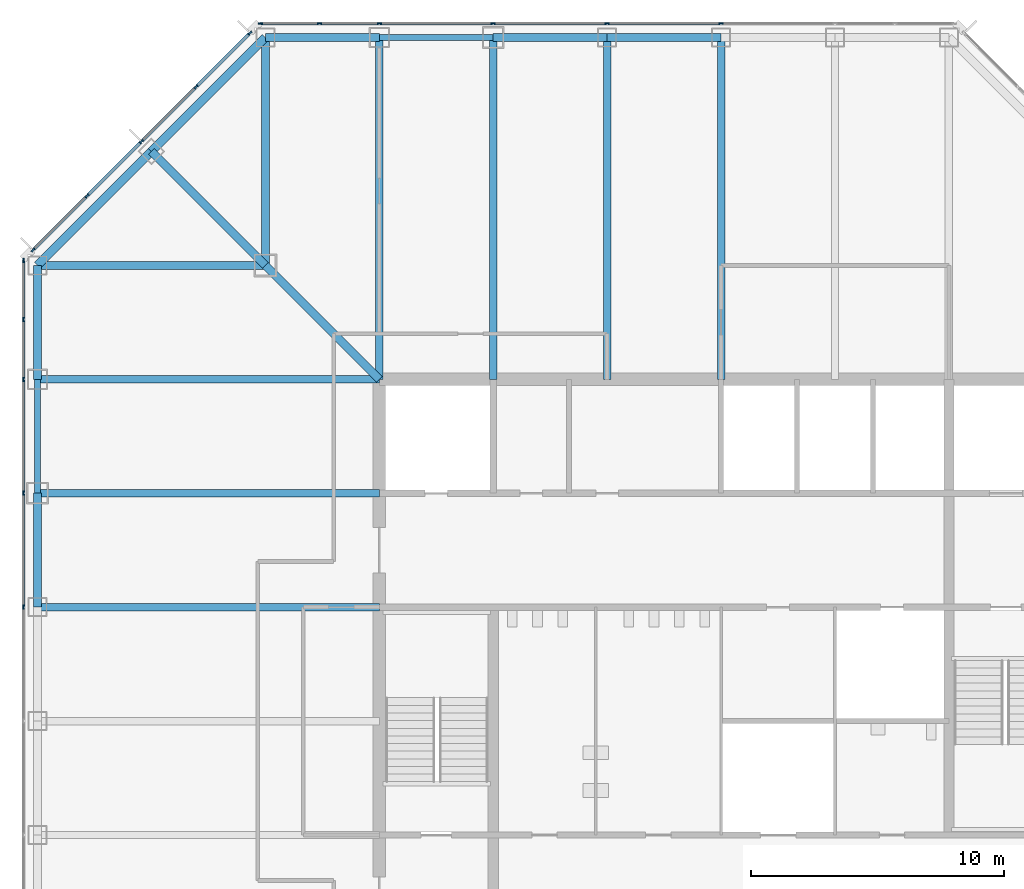
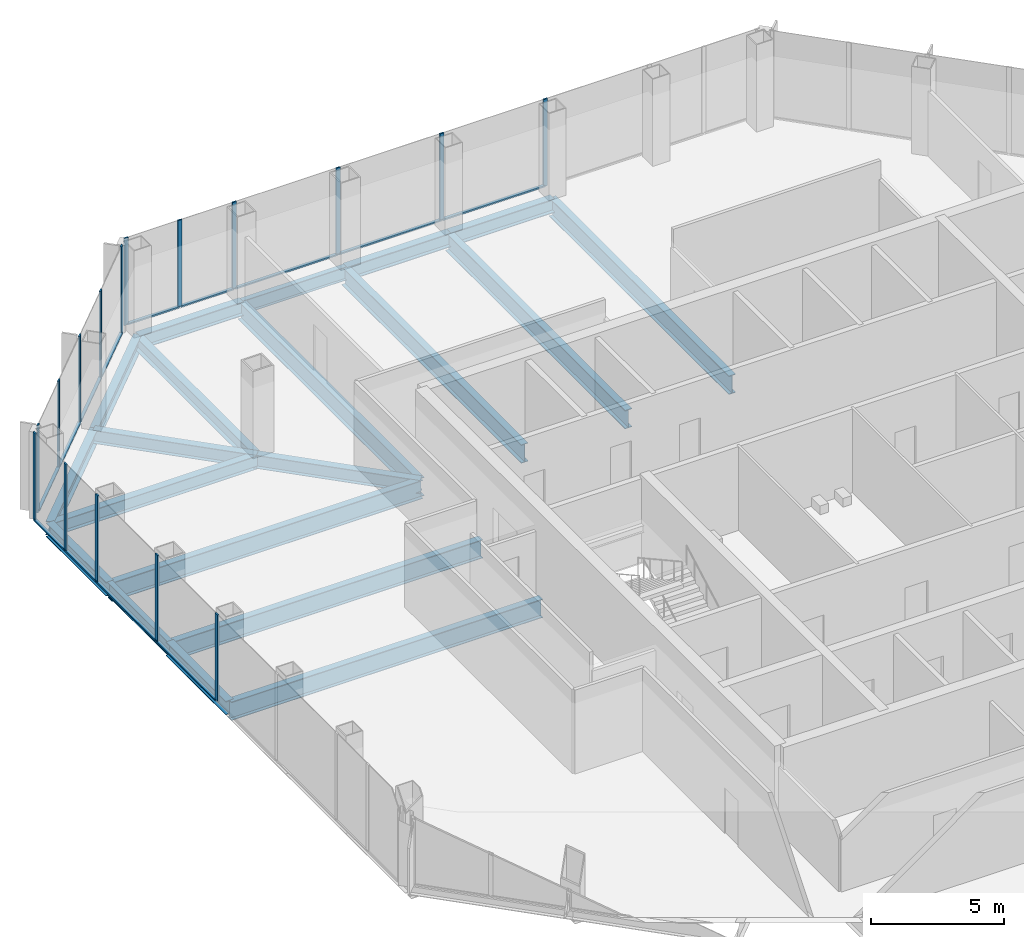
# One storey, part 5 of 12: 29 members, 20 beams, 3 elements without a shape of their own.
"""IFC4 building model written with IfcOpenShell, lengths in metres."""

import ifcopenshell
import ifcopenshell.guid

model = None  # the IFC model being written
_history = None  # IfcOwnerHistory: only IFC2X3 demands one
_inside = {}  # id of a spatial element -> (the spatial element, [elements in it])
_under = {}  # id of a project, library or spatial element -> (it, [spatial elements below it])
_declared = {}  # id of a project -> (the project, [libraries it declares])
_typed = {}  # id of a type object -> (the type object, [elements of that type])
_made_of = {}  # id of a material, layer set ... -> (it, [elements and type objects made of it])


def new_model(schema):
    """Start an empty IFC model of exactly this schema.

    Asked for "IFC4X3", IfcOpenShell would pick the latest addendum, in which some entities
    have other attributes; the version numbers below select the first issue.
    IFC2X3 requires an IfcOwnerHistory on every rooted entity: one is made here for all.
    """
    global model, _history
    if schema == "IFC4X3":
        model = ifcopenshell.file(schema_version=(4, 3, 0, 0))
    else:
        model = ifcopenshell.file(schema=schema)
    _inside.clear()
    _under.clear()
    _declared.clear()
    _typed.clear()
    _made_of.clear()
    _history = None
    if model.schema == "IFC2X3":
        org = make("IfcOrganization", Name="unknown")
        user = make(
            "IfcPersonAndOrganization",
            ThePerson=make("IfcPerson", FamilyName="unknown"),
            TheOrganization=org,
        )
        app = make(
            "IfcApplication",
            ApplicationDeveloper=org,
            Version="unknown",
            ApplicationFullName="unknown",
            ApplicationIdentifier="unknown",
        )
        _history = make(
            "IfcOwnerHistory",
            OwningUser=user,
            OwningApplication=app,
            ChangeAction="ADDED",
            CreationDate=0,
        )
    return model


def make(cls, **values):
    """One entity of the class cls with the attributes given. An attribute that is None is left unset."""
    return model.create_entity(
        cls, **{name: value for name, value in values.items() if value is not None}
    )


def rooted(cls, **values):
    """An entity with a GlobalId (a new one), such as an element, a storey or a relation."""
    return make(cls, GlobalId=ifcopenshell.guid.new(), OwnerHistory=_history, **values)


def si_unit(unit_type, name, prefix=None):
    """IfcSIUnit, for example si_unit("LENGTHUNIT", "METRE", prefix="MILLI")."""
    return make("IfcSIUnit", UnitType=unit_type, Prefix=prefix, Name=name)


def assignment(units):
    """IfcUnitAssignment: the units of a project."""
    return None if units is None else make("IfcUnitAssignment", Units=units)


def point(xyz):
    """IfcCartesianPoint."""
    return None if xyz is None else make("IfcCartesianPoint", Coordinates=xyz)


def direction(xyz):
    """IfcDirection."""
    return None if xyz is None else make("IfcDirection", DirectionRatios=xyz)


def frame(location, z_axis=None, x_axis=None):
    """IfcAxis2Placement3D, a coordinate frame: its origin and axes. An axis left out is left unset."""
    return make(
        "IfcAxis2Placement3D",
        Location=point(location),
        Axis=direction(z_axis),
        RefDirection=direction(x_axis),
    )


def frame_2d(location, x_axis=None):
    """IfcAxis2Placement2D, a coordinate frame in the plane: its origin and x axis."""
    return make(
        "IfcAxis2Placement2D", Location=point(location), RefDirection=direction(x_axis)
    )


def origin():
    """The frame at (0, 0, 0) with its axes left unset."""
    return frame((0.0, 0.0, 0.0))


def origin_2d():
    """The frame at (0, 0) in the plane with its x axis left unset."""
    return frame_2d((0.0, 0.0))


def place(relative_to, where):
    """IfcLocalPlacement: puts the frame where relative to a parent placement (None: the world)."""
    return make(
        "IfcLocalPlacement", PlacementRelTo=relative_to, RelativePlacement=where
    )


def context(
    kind, dimensions, precision=None, world=None, true_north=None, identifier=None
):
    """IfcGeometricRepresentationContext, for example the 3D "Model" context."""
    return make(
        "IfcGeometricRepresentationContext",
        ContextIdentifier=identifier,
        ContextType=kind,
        CoordinateSpaceDimension=dimensions,
        Precision=precision,
        WorldCoordinateSystem=world,
        TrueNorth=true_north,
    )


def subcontext(parent, identifier, kind, view, scale=None):
    """IfcGeometricRepresentationSubContext, for example "Body" below "Model"."""
    return make(
        "IfcGeometricRepresentationSubContext",
        ContextIdentifier=identifier,
        ContextType=kind,
        ParentContext=parent,
        TargetScale=scale,
        TargetView=view,
    )


def project(units=None, contexts=None):
    """IfcProject with its units and contexts."""
    return rooted(
        "IfcProject",
        Name="project",
        RepresentationContexts=contexts,
        UnitsInContext=assignment(units),
    )


def spatial(cls, under=None, at=None, **own):
    """A site, building, storey or space (cls), placed at a placement, below another one or the project."""
    s = rooted(cls, ObjectPlacement=at, **own)
    if under is not None:
        _under.setdefault(under.id(), (under, []))[1].append(s)
    return s


def profile(cls, at=None, kind="AREA", **sizes):
    """A parametric profile (cls). Its sizes go by their IFC names, for example OverallWidth=200.0."""
    return make(cls, ProfileType=kind, Position=at, **sizes)


def rectangle(**sizes):
    """IfcRectangleProfileDef."""
    return profile("IfcRectangleProfileDef", **sizes)


def i_section(**sizes):
    """IfcIShapeProfileDef."""
    return profile("IfcIShapeProfileDef", **sizes)


def extrude(swept, where, along, depth):
    """IfcExtrudedAreaSolid: the profile swept, set in the frame where, extruded along a direction by depth."""
    return make(
        "IfcExtrudedAreaSolid",
        SweptArea=swept,
        Position=where,
        ExtrudedDirection=direction(along),
        Depth=depth,
    )


def shape(context_of_items, identifier, shape_type, items):
    """IfcShapeRepresentation: the items that make up one representation, for example the "Body"."""
    return make(
        "IfcShapeRepresentation",
        ContextOfItems=context_of_items,
        RepresentationIdentifier=identifier,
        RepresentationType=shape_type,
        Items=items,
    )


def material(Name=None, Category=None):
    """IfcMaterial."""
    return make("IfcMaterial", Name=Name, Category=Category)


def material_profile(
    of_material, cross_section, Name=None, Category=None, Priority=None
):
    """IfcMaterialProfile: a cross section and its material."""
    return make(
        "IfcMaterialProfile",
        Name=Name,
        Material=of_material,
        Profile=cross_section,
        Priority=Priority,
        Category=Category,
    )


def profile_set(profiles, Name=None, composite=None):
    """IfcMaterialProfileSet."""
    return make(
        "IfcMaterialProfileSet",
        Name=Name,
        MaterialProfiles=profiles,
        CompositeProfile=composite,
    )


def made_of(thing, what):
    """Note that an element or type object is made of a material, layer set ...; save() writes the relation."""
    if what is not None:
        _made_of.setdefault(what.id(), (what, []))[1].append(thing)
    return thing


def type_object(cls, material=None, **own):
    """A type object (cls), such as IfcWallType, which elements share."""
    return made_of(rooted(cls, **own), material)


def element(
    cls,
    number,
    at=None,
    inside=None,
    cuts=None,
    type_object=None,
    material=None,
    context=None,
    identifier="Body",
    shape_type=None,
    held_by="IfcProductDefinitionShape",
    body=None,
    shapes=None,
    **own,
):
    """One element of the class cls, such as IfcWall. Its Tag is "e" and its number.

    at: its placement. inside: the storey or other place that contains it. cuts: it is an
    opening in that element (IfcRelVoidsElement). A single representation is given by context,
    identifier, shape_type and body (its items); several are given by shapes. held_by: the class
    of the entity that holds the representations. save() writes the other relations.
    """
    e = rooted(cls, Tag="e%d" % number, ObjectPlacement=at, **own)
    if body is not None:
        shapes = [shape(context, identifier, shape_type, body)]
    if shapes is not None:
        e.Representation = make(held_by, Representations=shapes)
    if inside is not None:
        _inside.setdefault(inside.id(), (inside, []))[1].append(e)
    if cuts is not None:
        rooted(
            "IfcRelVoidsElement", RelatingBuildingElement=cuts, RelatedOpeningElement=e
        )
    if type_object is not None:
        _typed.setdefault(type_object.id(), (type_object, []))[1].append(e)
    return made_of(e, material)


def aggregate(whole, parts):
    """IfcRelAggregates: a whole, such as a stair, and the parts it consists of."""
    return rooted("IfcRelAggregates", RelatingObject=whole, RelatedObjects=parts)


def save(model, path):
    """Write the relations noted so far, then the file.

    IfcRelAggregates (storeys below a building ...), IfcRelContainedInSpatialStructure (elements
    in a storey), IfcRelDefinesByType, IfcRelAssociatesMaterial and IfcRelDeclares: one each for
    every whole, place, type object, material and project.
    """
    for whole, parts in _under.values():
        aggregate(whole, parts)
    for where, things in _inside.values():
        rooted(
            "IfcRelContainedInSpatialStructure",
            RelatedElements=things,
            RelatingStructure=where,
        )
    for kind, things in _typed.values():
        rooted("IfcRelDefinesByType", RelatedObjects=things, RelatingType=kind)
    for what, things in _made_of.values():
        rooted("IfcRelAssociatesMaterial", RelatedObjects=things, RelatingMaterial=what)
    for by, libraries in _declared.values():
        rooted("IfcRelDeclares", RelatingContext=by, RelatedDefinitions=libraries)
    model.write(path)


model = new_model("IFC4")

# Units and contexts
model_context = context("Model", 3, precision=1e-05, world=origin(), true_north=direction((0.0, 1.0)))
body_context = subcontext(model_context, "Body", "Model", "MODEL_VIEW")
ifc_project = project(units=[si_unit("LENGTHUNIT", "METRE"), si_unit("AREAUNIT", "SQUARE_METRE"), si_unit("VOLUMEUNIT", "CUBIC_METRE"), si_unit("PLANEANGLEUNIT", "RADIAN"), si_unit("MASSUNIT", "GRAM", prefix="KILO")], contexts=[model_context])

# Site, building, storey
site_placement = place(None, origin())
site = spatial("IfcSite", under=ifc_project, at=site_placement, CompositionType="ELEMENT")
building_placement = place(site_placement, origin())
building = spatial("IfcBuilding", under=site, at=building_placement, Name="Corais Broadcast Tower", CompositionType="ELEMENT")
storey_placement = place(building_placement, frame((0.0, 0.0, 135.60009765625)))
storey = spatial("IfcBuildingStorey", under=building, at=storey_placement, Name="L30", CompositionType="ELEMENT", Elevation=135.60009765625)

# Beams
ifc_material_1 = material(Name="Steel ASTM A572 Grade 50", Category="steel")
ifc_material_profile_1 = material_profile(ifc_material_1, i_section(OverallWidth=0.323974609375, OverallDepth=0.611083984375, WebThickness=0.0126953125, FlangeThickness=0.01904296875, at=origin_2d()), Name="W610x155")
ifc_profile_set_1 = profile_set([ifc_material_profile_1], Name="Steel ASTM A572 Grade 50")
beam_type_1 = type_object("IfcBeamType", Name="Chamfer tie W610x155", PredefinedType="BEAM", material=ifc_profile_set_1)
beam_1_placement = place(storey_placement, frame((4.5, 49.5, -0.465576171875), z_axis=(0.707106781187, -0.707106781187, 0.0), x_axis=(0.707106781187, 0.707106781187, 0.0)))
element("IfcBeam", 1, at=beam_1_placement, inside=storey, type_object=beam_type_1, Name="B5 M/4 to L/5", PredefinedType="BEAM", context=body_context, shape_type="SweptSolid", body=[
    extrude(i_section(OverallWidth=0.323974609375, OverallDepth=0.611083984375, WebThickness=0.0126953125, FlangeThickness=0.01904296875, at=origin_2d()), origin(), (0.0, 0.0, 1.0), 6.364013671875),
])
ifc_material_2 = material(Name="Steel ASTM A572 Grade 50", Category="steel")
ifc_material_profile_2 = material_profile(ifc_material_2, i_section(OverallWidth=0.323974609375, OverallDepth=0.611083984375, WebThickness=0.0126953125, FlangeThickness=0.01904296875, at=origin_2d()), Name="W610x155")
ifc_profile_set_2 = profile_set([ifc_material_profile_2], Name="Steel ASTM A572 Grade 50")
beam_type_2 = type_object("IfcBeamType", Name="Corner diagonal W610x155", PredefinedType="BEAM", material=ifc_profile_set_2)
beam_2_placement = place(storey_placement, frame((9.0, 45.0, -0.465576171875), z_axis=(0.707106781187, -0.707106781187, 0.0), x_axis=(0.707106781187, 0.707106781187, 0.0)))
element("IfcBeam", 2, at=beam_2_placement, inside=storey, type_object=beam_type_2, Name="B6 L/5 to K/6", PredefinedType="BEAM", context=body_context, shape_type="SweptSolid", body=[
    extrude(i_section(OverallWidth=0.323974609375, OverallDepth=0.611083984375, WebThickness=0.0126953125, FlangeThickness=0.01904296875, at=origin_2d()), origin(), (0.0, 0.0, 1.0), 6.364013671875),
])
ifc_material_3 = material(Name="Steel ASTM A572 Grade 50", Category="steel")
ifc_material_profile_3 = material_profile(ifc_material_3, i_section(OverallWidth=0.323974609375, OverallDepth=0.611083984375, WebThickness=0.0126953125, FlangeThickness=0.01904296875, at=origin_2d()), Name="W610x155")
ifc_profile_set_3 = profile_set([ifc_material_profile_3], Name="Steel ASTM A572 Grade 50")
beam_type_3 = type_object("IfcBeamType", Name="Corner girder W610x155", PredefinedType="BEAM", material=ifc_profile_set_3)
for number, where, z_axis, x_axis, name in (
    (3, (0.0, 45.0, -0.465576171875), (1.0, 0.0, 0.0), (0.0, 1.0, 0.0), "B4 L/3 to L/5"),
    (4, (9.0, 54.0, -0.465576171875), (0.0, -1.0, 0.0), (1.0, 0.0, 0.0), "B4 N/5 to L/5"),
):
    element("IfcBeam", number, at=place(storey_placement, frame(where, z_axis=z_axis, x_axis=x_axis)), inside=storey, type_object=beam_type_3, Name=name, PredefinedType="BEAM", context=body_context, shape_type="SweptSolid", body=[
        extrude(i_section(OverallWidth=0.323974609375, OverallDepth=0.611083984375, WebThickness=0.0126953125, FlangeThickness=0.01904296875, at=origin_2d()), origin(), (0.0, 0.0, 1.0), 9.0),
    ])
ifc_material_4 = material(Name="Steel ASTM A572 Grade 50", Category="steel")
ifc_material_profile_4 = material_profile(ifc_material_4, i_section(OverallWidth=0.2939453125, OverallDepth=0.85107421875, WebThickness=0.01611328125, FlangeThickness=0.02685546875, at=origin_2d()), Name="W840x226")
ifc_profile_set_4 = profile_set([ifc_material_profile_4], Name="Steel ASTM A572 Grade 50")
beam_type_4 = type_object("IfcBeamType", Name="Floor beam W840x226", PredefinedType="BEAM", material=ifc_profile_set_4)
for number, where, z_axis, x_axis, name in (
    (5, (0.0, 31.5, -0.585693359375), (1.0, 0.0, 0.0), (0.0, 1.0, 0.0), "B1 H/3 to H/6"),
    (6, (0.0, 36.0, -0.585693359375), (1.0, 0.0, 0.0), (0.0, 1.0, 0.0), "B1 J/3 to J/6"),
    (7, (0.0, 40.5, -0.585693359375), (1.0, 0.0, 0.0), (0.0, 1.0, 0.0), "B1 K/3 to K/6"),
    (8, (13.5, 54.0, -0.585693359375), (0.0, -1.0, 0.0), (1.0, 0.0, 0.0), "B1 N/6 to K/6"),
    (9, (18.0, 54.0, -0.585693359375), (0.0, -1.0, 0.0), (1.0, 0.0, 0.0), "B1 N/7 to K/7"),
    (10, (22.5, 54.0, -0.585693359375), (0.0, -1.0, 0.0), (1.0, 0.0, 0.0), "B1 N/8 to K/8"),
    (11, (27.0, 54.0, -0.585693359375), (0.0, -1.0, 0.0), (1.0, 0.0, 0.0), "B1 N/9 to K/9"),
):
    element("IfcBeam", number, at=place(storey_placement, frame(where, z_axis=z_axis, x_axis=x_axis)), inside=storey, type_object=beam_type_4, Name=name, PredefinedType="BEAM", context=body_context, shape_type="SweptSolid", body=[
        extrude(i_section(OverallWidth=0.2939453125, OverallDepth=0.85107421875, WebThickness=0.01611328125, FlangeThickness=0.02685546875, at=origin_2d()), origin(), (0.0, 0.0, 1.0), 13.5),
    ])

# Curtain wall, members
ifc_material_5 = material(Name="Aluminium and glass", Category="aluminium")
curtain_wall_type = type_object("IfcCurtainWallType", Name="Unitised fritted curtain wall CW2", PredefinedType="NOTDEFINED", material=ifc_material_5)
curtain_wall_1_placement = place(storey_placement, origin())
curtain_wall_1 = element("IfcCurtainWall", 12, at=curtain_wall_1_placement, inside=storey, type_object=curtain_wall_type, Name="CW2 curtain wall L30 2", PredefinedType="NOTDEFINED")
ifc_material_6 = material(Name="Aluminium 6063-T6", Category="aluminium")
ifc_material_profile_5 = material_profile(ifc_material_6, rectangle(XDim=0.06494140625, YDim=0.179931640625, at=origin_2d()), Name="Mullion CW2 65x180")
ifc_profile_set_5 = profile_set([ifc_material_profile_5], Name="Aluminium 6063-T6")
member_type_1 = type_object("IfcMemberType", Name="Mullion CW2 65x180", PredefinedType="MULLION", material=ifc_profile_set_5)
member_1_placement = place(storey_placement, frame((-0.550048828125, 31.5, 0.0), z_axis=(0.0, 0.0, 1.0), x_axis=(-1.0, 0.0, 0.0)))
member_1 = element("IfcMember", 13, at=member_1_placement, type_object=member_type_1, Name="CW2 mullion 5", PredefinedType="MULLION", context=body_context, shape_type="SweptSolid", body=[
    extrude(rectangle(XDim=0.06494140625, YDim=0.179931640625, at=origin_2d()), origin(), (0.0, 0.0, 1.0), 4.0),
])
member_2_placement = place(storey_placement, frame((-0.550048828125, 36.0, 0.0), z_axis=(0.0, 0.0, 1.0), x_axis=(-1.0, 0.0, 0.0)))
member_2 = element("IfcMember", 14, at=member_2_placement, type_object=member_type_1, Name="CW2 mullion 6", PredefinedType="MULLION", context=body_context, shape_type="SweptSolid", body=[
    extrude(rectangle(XDim=0.06494140625, YDim=0.179931640625, at=origin_2d()), origin(), (0.0, 0.0, 1.0), 4.0),
])
member_3_placement = place(storey_placement, frame((-0.550048828125, 40.5, 0.0), z_axis=(0.0, 0.0, 1.0), x_axis=(-1.0, 0.0, 0.0)))
member_3 = element("IfcMember", 15, at=member_3_placement, type_object=member_type_1, Name="CW2 mullion 7", PredefinedType="MULLION", context=body_context, shape_type="SweptSolid", body=[
    extrude(rectangle(XDim=0.06494140625, YDim=0.179931640625, at=origin_2d()), origin(), (0.0, 0.0, 1.0), 4.0),
])
member_4_placement = place(storey_placement, frame((-0.550048828125, 42.864013671875, 0.0), z_axis=(0.0, 0.0, 1.0), x_axis=(-1.0, 0.0, 0.0)))
member_4 = element("IfcMember", 16, at=member_4_placement, type_object=member_type_1, Name="CW2 mullion 8", PredefinedType="MULLION", context=body_context, shape_type="SweptSolid", body=[
    extrude(rectangle(XDim=0.06494140625, YDim=0.179931640625, at=origin_2d()), origin(), (0.0, 0.0, 1.0), 4.0),
])
member_5_placement = place(storey_placement, frame((-0.550048828125, 45.1953125, 0.0), z_axis=(0.0, 0.0, 1.0), x_axis=(-1.0, 0.0, 0.0)))
member_5 = element("IfcMember", 17, at=member_5_placement, type_object=member_type_1, Name="CW2 mullion 9", PredefinedType="MULLION", context=body_context, shape_type="SweptSolid", body=[
    extrude(rectangle(XDim=0.06494140625, YDim=0.179931640625, at=origin_2d()), origin(), (0.0, 0.0, 1.0), 4.0),
])

curtain_wall_2_placement = place(storey_placement, origin())
curtain_wall_2 = element("IfcCurtainWall", 18, at=curtain_wall_2_placement, inside=storey, type_object=curtain_wall_type, Name="CW2 curtain wall L30 3", PredefinedType="NOTDEFINED")
member_6_placement = place(storey_placement, frame((-0.17333984375, 45.6044921875, 0.0), z_axis=(0.0, 0.0, 1.0), x_axis=(-0.707106781187, 0.707106781187, 0.0)))
member_6 = element("IfcMember", 19, at=member_6_placement, type_object=member_type_1, Name="CW2 mullion 1", PredefinedType="MULLION", context=body_context, shape_type="SweptSolid", body=[
    extrude(rectangle(XDim=0.06494140625, YDim=0.179931640625, at=origin_2d()), origin(), (0.0, 0.0, 1.0), 4.0),
])
member_7_placement = place(storey_placement, frame((1.957275390625, 47.735107421875, 0.0), z_axis=(0.0, 0.0, 1.0), x_axis=(-0.707106781187, 0.707106781187, 0.0)))
member_7 = element("IfcMember", 20, at=member_7_placement, type_object=member_type_1, Name="CW2 mullion 2", PredefinedType="MULLION", context=body_context, shape_type="SweptSolid", body=[
    extrude(rectangle(XDim=0.06494140625, YDim=0.179931640625, at=origin_2d()), origin(), (0.0, 0.0, 1.0), 4.0),
])
member_8_placement = place(storey_placement, frame((4.111083984375, 49.888916015625, 0.0), z_axis=(0.0, 0.0, 1.0), x_axis=(-0.707106781187, 0.707106781187, 0.0)))
member_8 = element("IfcMember", 21, at=member_8_placement, type_object=member_type_1, Name="CW2 mullion 3", PredefinedType="MULLION", context=body_context, shape_type="SweptSolid", body=[
    extrude(rectangle(XDim=0.06494140625, YDim=0.179931640625, at=origin_2d()), origin(), (0.0, 0.0, 1.0), 4.0),
])
member_9_placement = place(storey_placement, frame((6.264892578125, 52.042724609375, 0.0), z_axis=(0.0, 0.0, 1.0), x_axis=(-0.707106781187, 0.707106781187, 0.0)))
member_9 = element("IfcMember", 22, at=member_9_placement, type_object=member_type_1, Name="CW2 mullion 4", PredefinedType="MULLION", context=body_context, shape_type="SweptSolid", body=[
    extrude(rectangle(XDim=0.06494140625, YDim=0.179931640625, at=origin_2d()), origin(), (0.0, 0.0, 1.0), 4.0),
])
member_10_placement = place(storey_placement, frame((8.3955078125, 54.17333984375, 0.0), z_axis=(0.0, 0.0, 1.0), x_axis=(-0.707106781187, 0.707106781187, 0.0)))
member_10 = element("IfcMember", 23, at=member_10_placement, type_object=member_type_1, Name="CW2 mullion 5", PredefinedType="MULLION", context=body_context, shape_type="SweptSolid", body=[
    extrude(rectangle(XDim=0.06494140625, YDim=0.179931640625, at=origin_2d()), origin(), (0.0, 0.0, 1.0), 4.0),
])

curtain_wall_3_placement = place(storey_placement, origin())
curtain_wall_3 = element("IfcCurtainWall", 24, at=curtain_wall_3_placement, inside=storey, type_object=curtain_wall_type, Name="CW2 curtain wall L30 4", PredefinedType="NOTDEFINED")
member_11_placement = place(storey_placement, frame((8.8046875, 54.550048828125, 0.0), z_axis=(0.0, 0.0, 1.0), x_axis=(0.0, 1.0, 0.0)))
member_11 = element("IfcMember", 25, at=member_11_placement, type_object=member_type_1, Name="CW2 mullion 1", PredefinedType="MULLION", context=body_context, shape_type="SweptSolid", body=[
    extrude(rectangle(XDim=0.06494140625, YDim=0.179931640625, at=origin_2d()), origin(), (0.0, 0.0, 1.0), 4.0),
])
member_12_placement = place(storey_placement, frame((11.135986328125, 54.550048828125, 0.0), z_axis=(0.0, 0.0, 1.0), x_axis=(0.0, 1.0, 0.0)))
member_12 = element("IfcMember", 26, at=member_12_placement, type_object=member_type_1, Name="CW2 mullion 2", PredefinedType="MULLION", context=body_context, shape_type="SweptSolid", body=[
    extrude(rectangle(XDim=0.06494140625, YDim=0.179931640625, at=origin_2d()), origin(), (0.0, 0.0, 1.0), 4.0),
])
member_13_placement = place(storey_placement, frame((13.5, 54.550048828125, 0.0), z_axis=(0.0, 0.0, 1.0), x_axis=(0.0, 1.0, 0.0)))
member_13 = element("IfcMember", 27, at=member_13_placement, type_object=member_type_1, Name="CW2 mullion 3", PredefinedType="MULLION", context=body_context, shape_type="SweptSolid", body=[
    extrude(rectangle(XDim=0.06494140625, YDim=0.179931640625, at=origin_2d()), origin(), (0.0, 0.0, 1.0), 4.0),
])
member_14_placement = place(storey_placement, frame((18.0, 54.550048828125, 0.0), z_axis=(0.0, 0.0, 1.0), x_axis=(0.0, 1.0, 0.0)))
member_14 = element("IfcMember", 28, at=member_14_placement, type_object=member_type_1, Name="CW2 mullion 4", PredefinedType="MULLION", context=body_context, shape_type="SweptSolid", body=[
    extrude(rectangle(XDim=0.06494140625, YDim=0.179931640625, at=origin_2d()), origin(), (0.0, 0.0, 1.0), 4.0),
])
member_15_placement = place(storey_placement, frame((22.5, 54.550048828125, 0.0), z_axis=(0.0, 0.0, 1.0), x_axis=(0.0, 1.0, 0.0)))
member_15 = element("IfcMember", 29, at=member_15_placement, type_object=member_type_1, Name="CW2 mullion 5", PredefinedType="MULLION", context=body_context, shape_type="SweptSolid", body=[
    extrude(rectangle(XDim=0.06494140625, YDim=0.179931640625, at=origin_2d()), origin(), (0.0, 0.0, 1.0), 4.0),
])
member_16_placement = place(storey_placement, frame((27.0, 54.550048828125, 0.0), z_axis=(0.0, 0.0, 1.0), x_axis=(0.0, 1.0, 0.0)))
member_16 = element("IfcMember", 30, at=member_16_placement, type_object=member_type_1, Name="CW2 mullion 6", PredefinedType="MULLION", context=body_context, shape_type="SweptSolid", body=[
    extrude(rectangle(XDim=0.06494140625, YDim=0.179931640625, at=origin_2d()), origin(), (0.0, 0.0, 1.0), 4.0),
])

# Beams
ifc_material_7 = material(Name="Steel ASTM A572 Grade 50", Category="steel")
ifc_material_profile_6 = material_profile(ifc_material_7, i_section(OverallWidth=0.22900390625, OverallDepth=0.612060546875, WebThickness=0.011962890625, FlangeThickness=0.01953125, at=origin_2d()), Name="W610x125")
ifc_profile_set_6 = profile_set([ifc_material_profile_6], Name="Steel ASTM A572 Grade 50")
beam_type_5 = type_object("IfcBeamType", Name="Pinned spandrel W610x125", PredefinedType="BEAM", material=ifc_profile_set_6)
for number, where, z_axis, x_axis, name in (
    (31, (0.0, 40.5, -0.466064453125), (0.0, -1.0, 0.0), (1.0, 0.0, 0.0), "SB7 K/3 to J/3"),
    (32, (18.0, 54.0, -0.466064453125), (-1.0, 0.0, 0.0), (0.0, -1.0, 0.0), "SB7 N/7 to N/6"),
):
    element("IfcBeam", number, at=place(storey_placement, frame(where, z_axis=z_axis, x_axis=x_axis)), inside=storey, type_object=beam_type_5, Name=name, PredefinedType="BEAM", context=body_context, shape_type="SweptSolid", body=[
        extrude(i_section(OverallWidth=0.22900390625, OverallDepth=0.612060546875, WebThickness=0.011962890625, FlangeThickness=0.01953125, at=origin_2d()), origin(), (0.0, 0.0, 1.0), 4.5),
    ])
ifc_material_8 = material(Name="Steel ASTM A572 Grade 50", Category="steel")
ifc_material_profile_7 = material_profile(ifc_material_8, i_section(OverallWidth=0.3291015625, OverallDepth=0.635009765625, WebThickness=0.017822265625, FlangeThickness=0.031005859375, at=origin_2d()), Name="W610x241")
ifc_profile_set_7 = profile_set([ifc_material_profile_7], Name="Steel ASTM A572 Grade 50")
beam_type_6 = type_object("IfcBeamType", Name="Spandrel W610x241", PredefinedType="BEAM", material=ifc_profile_set_7)
for number, where, z_axis, x_axis, name in (
    (33, (0.0, 36.0, -0.4775390625), (0.0, -1.0, 0.0), (1.0, 0.0, 0.0), "SB1 J/3 to H/3"),
    (34, (0.0, 45.0, -0.4775390625), (0.0, -1.0, 0.0), (1.0, 0.0, 0.0), "SB1 L/3 to K/3"),
    (35, (13.5, 54.0, -0.4775390625), (-1.0, 0.0, 0.0), (0.0, -1.0, 0.0), "SB1 N/6 to N/5"),
    (36, (22.5, 54.0, -0.4775390625), (-1.0, 0.0, 0.0), (0.0, -1.0, 0.0), "SB1 N/8 to N/7"),
    (37, (27.0, 54.0, -0.4775390625), (-1.0, 0.0, 0.0), (0.0, -1.0, 0.0), "SB1 N/9 to N/8"),
):
    element("IfcBeam", number, at=place(storey_placement, frame(where, z_axis=z_axis, x_axis=x_axis)), inside=storey, type_object=beam_type_6, Name=name, PredefinedType="BEAM", context=body_context, shape_type="SweptSolid", body=[
        extrude(i_section(OverallWidth=0.3291015625, OverallDepth=0.635009765625, WebThickness=0.017822265625, FlangeThickness=0.031005859375, at=origin_2d()), origin(), (0.0, 0.0, 1.0), 4.5),
    ])
for number, where, z_axis, x_axis, name in (
    (38, (4.5, 49.5, -0.4775390625), (-0.707106781187, -0.707106781187, 0.0), (0.707106781187, -0.707106781187, 0.0), "SB1 M/4 to L/3"),
    (39, (9.0, 54.0, -0.4775390625), (-0.707106781187, -0.707106781187, 0.0), (0.707106781187, -0.707106781187, 0.0), "SB1 N/5 to M/4"),
):
    element("IfcBeam", number, at=place(storey_placement, frame(where, z_axis=z_axis, x_axis=x_axis)), inside=storey, type_object=beam_type_6, Name=name, PredefinedType="BEAM", context=body_context, shape_type="SweptSolid", body=[
        extrude(i_section(OverallWidth=0.3291015625, OverallDepth=0.635009765625, WebThickness=0.017822265625, FlangeThickness=0.031005859375, at=origin_2d()), origin(), (0.0, 0.0, 1.0), 6.364013671875),
    ])

# Member
ifc_material_9 = material(Name="Aluminium 6063-T6", Category="aluminium")
ifc_material_profile_8 = material_profile(ifc_material_9, rectangle(XDim=0.1298828125, YDim=0.06494140625, at=origin_2d()), Name="Transom CW2 65x130")
ifc_profile_set_8 = profile_set([ifc_material_profile_8], Name="Aluminium 6063-T6")
member_type_2 = type_object("IfcMemberType", Name="Transom CW2 65x130", PredefinedType="USERDEFINED", material=ifc_profile_set_8)
member_17_placement = place(storey_placement, frame((-0.550048828125, 31.532470703125, 0.032470703125), z_axis=(0.0, 1.0, 0.0), x_axis=(-1.0, 0.0, 0.0)))
member_17 = element("IfcMember", 40, at=member_17_placement, type_object=member_type_2, Name="CW2 transom 5.1", ObjectType="TRANSOM", PredefinedType="USERDEFINED", context=body_context, shape_type="SweptSolid", body=[
    extrude(rectangle(XDim=0.1298828125, YDim=0.06494140625, at=origin_2d()), origin(), (0.0, 0.0, 1.0), 4.43505859375),
])

member_18_placement = place(storey_placement, frame((-0.550048828125, 36.032470703125, 0.032470703125), z_axis=(0.0, 1.0, 0.0), x_axis=(-1.0, 0.0, 0.0)))
member_18 = element("IfcMember", 41, at=member_18_placement, type_object=member_type_2, Name="CW2 transom 6.1", ObjectType="TRANSOM", PredefinedType="USERDEFINED", context=body_context, shape_type="SweptSolid", body=[
    extrude(rectangle(XDim=0.1298828125, YDim=0.06494140625, at=origin_2d()), origin(), (0.0, 0.0, 1.0), 4.43505859375),
])

member_19_placement = place(storey_placement, frame((-0.550048828125, 40.532470703125, 0.032470703125), z_axis=(0.0, 1.0, 0.0), x_axis=(-1.0, 0.0, 0.0)))
member_19 = element("IfcMember", 42, at=member_19_placement, type_object=member_type_2, Name="CW2 transom 7.1", ObjectType="TRANSOM", PredefinedType="USERDEFINED", context=body_context, shape_type="SweptSolid", body=[
    extrude(rectangle(XDim=0.1298828125, YDim=0.06494140625, at=origin_2d()), origin(), (0.0, 0.0, 1.0), 2.298828125),
])

member_20_placement = place(storey_placement, frame((-0.550048828125, 42.896484375, 0.032470703125), z_axis=(0.0, 1.0, 0.0), x_axis=(-1.0, 0.0, 0.0)))
member_20 = element("IfcMember", 43, at=member_20_placement, type_object=member_type_2, Name="CW2 transom 8.1", ObjectType="TRANSOM", PredefinedType="USERDEFINED", context=body_context, shape_type="SweptSolid", body=[
    extrude(rectangle(XDim=0.1298828125, YDim=0.06494140625, at=origin_2d()), origin(), (0.0, 0.0, 1.0), 2.266357421875),
])

aggregate(curtain_wall_1, [member_1, member_2, member_3, member_4, member_5, member_17, member_18, member_19, member_20])

member_21_placement = place(storey_placement, frame((-0.150390625, 45.62744140625, 0.032470703125), z_axis=(0.707106781187, 0.707106781187, 0.0), x_axis=(-0.707106781187, 0.707106781187, 0.0)))
member_21 = element("IfcMember", 44, at=member_21_placement, type_object=member_type_2, Name="CW2 transom 1.1", ObjectType="TRANSOM", PredefinedType="USERDEFINED", context=body_context, shape_type="SweptSolid", body=[
    extrude(rectangle(XDim=0.1298828125, YDim=0.06494140625, at=origin_2d()), origin(), (0.0, 0.0, 1.0), 2.9482421875),
])

member_22_placement = place(storey_placement, frame((1.980224609375, 47.758056640625, 0.032470703125), z_axis=(0.707106781187, 0.707106781187, 0.0), x_axis=(-0.707106781187, 0.707106781187, 0.0)))
member_22 = element("IfcMember", 45, at=member_22_placement, type_object=member_type_2, Name="CW2 transom 2.1", ObjectType="TRANSOM", PredefinedType="USERDEFINED", context=body_context, shape_type="SweptSolid", body=[
    extrude(rectangle(XDim=0.1298828125, YDim=0.06494140625, at=origin_2d()), origin(), (0.0, 0.0, 1.0), 2.98095703125),
])

member_23_placement = place(storey_placement, frame((4.134033203125, 49.911865234375, 0.032470703125), z_axis=(0.707106781187, 0.707106781187, 0.0), x_axis=(-0.707106781187, 0.707106781187, 0.0)))
member_23 = element("IfcMember", 46, at=member_23_placement, type_object=member_type_2, Name="CW2 transom 3.1", ObjectType="TRANSOM", PredefinedType="USERDEFINED", context=body_context, shape_type="SweptSolid", body=[
    extrude(rectangle(XDim=0.1298828125, YDim=0.06494140625, at=origin_2d()), origin(), (0.0, 0.0, 1.0), 2.98095703125),
])

member_24_placement = place(storey_placement, frame((6.287841796875, 52.065673828125, 0.032470703125), z_axis=(0.707106781187, 0.707106781187, 0.0), x_axis=(-0.707106781187, 0.707106781187, 0.0)))
member_24 = element("IfcMember", 47, at=member_24_placement, type_object=member_type_2, Name="CW2 transom 4.1", ObjectType="TRANSOM", PredefinedType="USERDEFINED", context=body_context, shape_type="SweptSolid", body=[
    extrude(rectangle(XDim=0.1298828125, YDim=0.06494140625, at=origin_2d()), origin(), (0.0, 0.0, 1.0), 2.9482421875),
])

aggregate(curtain_wall_2, [member_6, member_7, member_8, member_9, member_10, member_21, member_22, member_23, member_24])

member_25_placement = place(storey_placement, frame((8.837158203125, 54.550048828125, 0.032470703125), z_axis=(1.0, 0.0, 0.0), x_axis=(0.0, 1.0, 0.0)))
member_25 = element("IfcMember", 48, at=member_25_placement, type_object=member_type_2, Name="CW2 transom 1.1", ObjectType="TRANSOM", PredefinedType="USERDEFINED", context=body_context, shape_type="SweptSolid", body=[
    extrude(rectangle(XDim=0.1298828125, YDim=0.06494140625, at=origin_2d()), origin(), (0.0, 0.0, 1.0), 2.266357421875),
])

member_26_placement = place(storey_placement, frame((11.168701171875, 54.550048828125, 0.032470703125), z_axis=(1.0, 0.0, 0.0), x_axis=(0.0, 1.0, 0.0)))
member_26 = element("IfcMember", 49, at=member_26_placement, type_object=member_type_2, Name="CW2 transom 2.1", ObjectType="TRANSOM", PredefinedType="USERDEFINED", context=body_context, shape_type="SweptSolid", body=[
    extrude(rectangle(XDim=0.1298828125, YDim=0.06494140625, at=origin_2d()), origin(), (0.0, 0.0, 1.0), 2.298828125),
])

member_27_placement = place(storey_placement, frame((13.532470703125, 54.550048828125, 0.032470703125), z_axis=(1.0, 0.0, 0.0), x_axis=(0.0, 1.0, 0.0)))
member_27 = element("IfcMember", 50, at=member_27_placement, type_object=member_type_2, Name="CW2 transom 3.1", ObjectType="TRANSOM", PredefinedType="USERDEFINED", context=body_context, shape_type="SweptSolid", body=[
    extrude(rectangle(XDim=0.1298828125, YDim=0.06494140625, at=origin_2d()), origin(), (0.0, 0.0, 1.0), 4.43505859375),
])

member_28_placement = place(storey_placement, frame((18.032470703125, 54.550048828125, 0.032470703125), z_axis=(1.0, 0.0, 0.0), x_axis=(0.0, 1.0, 0.0)))
member_28 = element("IfcMember", 51, at=member_28_placement, type_object=member_type_2, Name="CW2 transom 4.1", ObjectType="TRANSOM", PredefinedType="USERDEFINED", context=body_context, shape_type="SweptSolid", body=[
    extrude(rectangle(XDim=0.1298828125, YDim=0.06494140625, at=origin_2d()), origin(), (0.0, 0.0, 1.0), 4.43505859375),
])

member_29_placement = place(storey_placement, frame((22.532470703125, 54.550048828125, 0.032470703125), z_axis=(1.0, 0.0, 0.0), x_axis=(0.0, 1.0, 0.0)))
member_29 = element("IfcMember", 52, at=member_29_placement, type_object=member_type_2, Name="CW2 transom 5.1", ObjectType="TRANSOM", PredefinedType="USERDEFINED", context=body_context, shape_type="SweptSolid", body=[
    extrude(rectangle(XDim=0.1298828125, YDim=0.06494140625, at=origin_2d()), origin(), (0.0, 0.0, 1.0), 4.43505859375),
])

aggregate(curtain_wall_3, [member_11, member_12, member_13, member_14, member_15, member_16, member_25, member_26, member_27, member_28, member_29])

save(model, "model.ifc")
